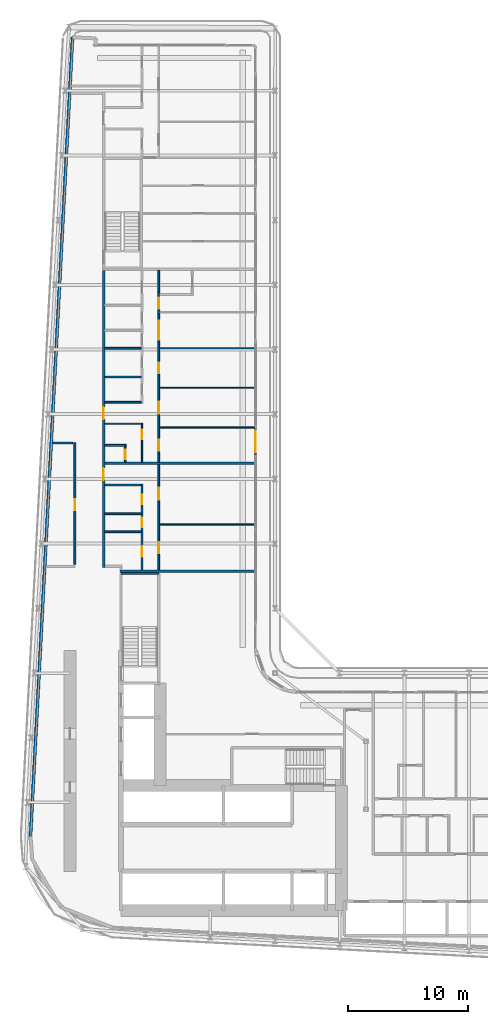
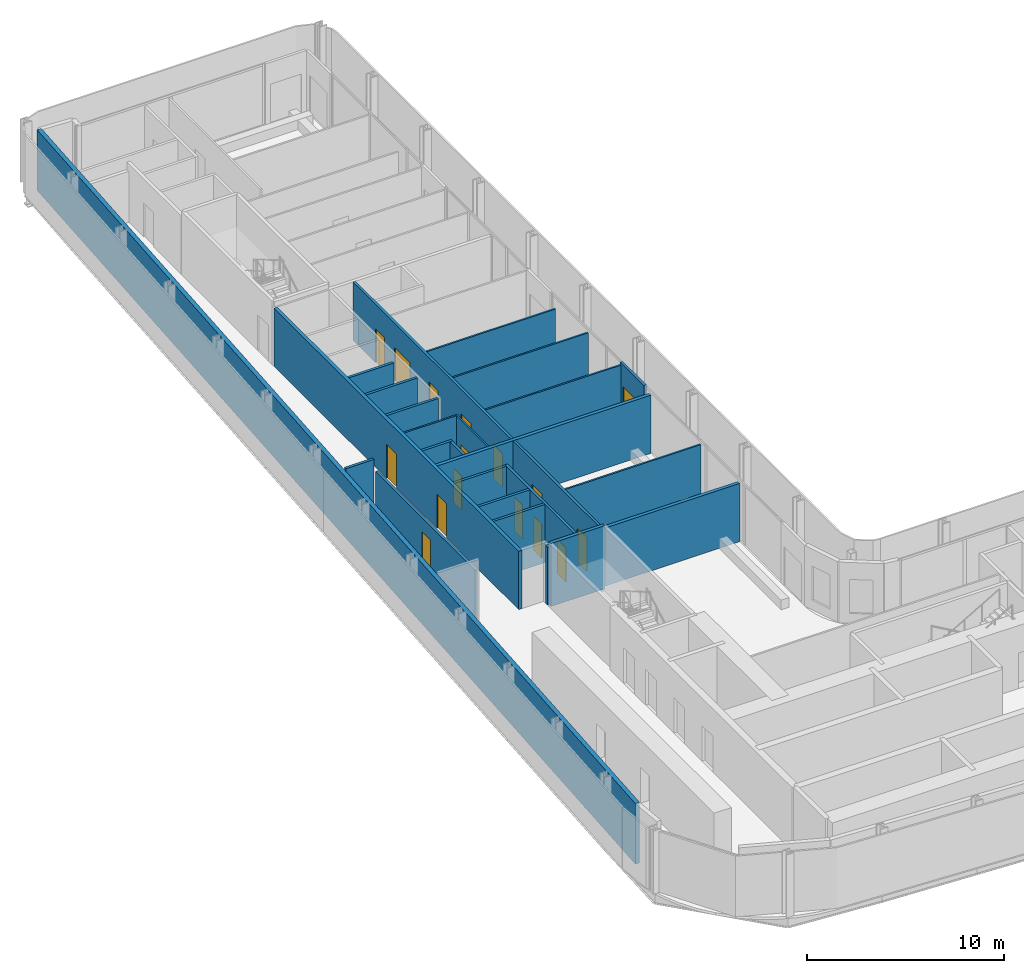
# One storey, part 17 of 28: 25 walls, 16 doors, 16 openings.
"""IFC4 building model written with IfcOpenShell, lengths in metres."""

from ifc_helpers import new_model, si_unit, direction, frame, frame_2d, origin, place, context, subcontext, project, spatial, rectangle, extrude, source, transform, mapped, material, layer, layer_set, type_object, element, fill, save


model = new_model("IFC4")

# Units and contexts
model_context = context("Model", 3, precision=1e-05, world=origin(), true_north=direction((0.0, 1.0)))
body_context = subcontext(model_context, "Body", "Model", "MODEL_VIEW")
ifc_project = project(units=[si_unit("LENGTHUNIT", "METRE"), si_unit("AREAUNIT", "SQUARE_METRE"), si_unit("VOLUMEUNIT", "CUBIC_METRE"), si_unit("PLANEANGLEUNIT", "RADIAN"), si_unit("MASSUNIT", "GRAM", prefix="KILO")], contexts=[model_context])

# Site, building, storey
site_placement = place(None, origin())
site = spatial("IfcSite", under=ifc_project, at=site_placement, CompositionType="ELEMENT")
building_placement = place(site_placement, origin())
building = spatial("IfcBuilding", under=site, at=building_placement, Name="Kheshtan School and Residences Tower", CompositionType="ELEMENT")
storey_placement = place(building_placement, frame((0.0, 0.0, 77.300048828125)))
storey = spatial("IfcBuildingStorey", under=building, at=storey_placement, Name="L18", CompositionType="ELEMENT", Elevation=77.300048828125)

# Wall, openings, doors
ifc_material_1 = material(Name="Gypsum board on steel studs with fire boards", Category="steel")
ifc_layer_1 = layer(ifc_material_1, 0.199951171875)
ifc_layer_set_1 = layer_set([ifc_layer_1], Name="Corridor wall 200")
wall_type_1 = type_object("IfcWallType", Name="Corridor wall 200", PredefinedType="PARTITIONING", material=ifc_layer_set_1)
wall_1_placement = place(storey_placement, frame((33.300048828125, 54.39990234375, 0.0), z_axis=(0.0, 0.0, 1.0), x_axis=(0.0, 1.0, 0.0)))
wall_1 = element("IfcWall", 1, at=wall_1_placement, inside=storey, type_object=wall_type_1, Name="Partition L18-004", PredefinedType="PARTITIONING", context=body_context, shape_type="SweptSolid", body=[
    extrude(rectangle(XDim=24.800048828125, YDim=0.199951171875, at=frame_2d((12.39990234375, 0.0))), origin(), (0.0, 0.0, 1.0), 3.599853515625),
])
opening_1_placement = place(wall_1_placement, frame((7.300048828125, 0.0, 0.0)))
opening_1 = element("IfcOpeningElement", 2, at=opening_1_placement, cuts=wall_1, Name="Opening D17-038", PredefinedType="OPENING", context=body_context, shape_type="SweptSolid", body=[
    extrude(rectangle(XDim=1.0, YDim=2.10009765625, at=frame_2d((0.5, 1.050048828125))), frame((0.0, 0.10986328125, 0.0), z_axis=(0.0, -1.0, 0.0), x_axis=(1.0, 0.0, 0.0)), (0.0, 0.0, 1.0), 0.219970703125),
])
opening_2_placement = place(wall_1_placement, frame((12.39990234375, 0.0, 0.0)))
opening_2 = element("IfcOpeningElement", 3, at=opening_2_placement, cuts=wall_1, Name="Opening D17-048", PredefinedType="OPENING", context=body_context, shape_type="SweptSolid", body=[
    extrude(rectangle(XDim=1.0, YDim=2.10009765625, at=frame_2d((0.5, 1.050048828125))), frame((0.0, 0.10986328125, 0.0), z_axis=(0.0, -1.0, 0.0), x_axis=(1.0, 0.0, 0.0)), (0.0, 0.0, 1.0), 0.219970703125),
])
ifc_material_2 = material(Name="Steel-framed fire-resisting door leaf", Category="steel")
door_type_1 = type_object("IfcDoorType", Name="Fire door FD30S 1000 x 2100", OperationType="SINGLE_SWING_LEFT", PredefinedType="DOOR", material=ifc_material_2)
shared_shape_1 = source(origin(), body_context, "Body", "SweptSolid", [
    extrude(rectangle(XDim=1.0, YDim=2.10009765625, at=frame_2d((0.5, 1.050048828125))), frame((0.0, 0.02490234375, 0.0), z_axis=(0.0, -1.0, 0.0), x_axis=(1.0, 0.0, 0.0)), (0.0, 0.0, 1.0), 0.050048828125),
])
door_1_placement = place(opening_1_placement, origin())
door_1 = element("IfcDoor", 4, at=door_1_placement, inside=storey, type_object=door_type_1, Name="Door D17-038", OperationType="SINGLE_SWING_RIGHT", OverallHeight=2.10009765625, OverallWidth=1.0, PredefinedType="DOOR", context=body_context, shape_type="MappedRepresentation", body=[
    mapped(shared_shape_1, transform((0.0, 0.0, 0.0), x_axis=(1.0, 0.0, 0.0), y_axis=(0.0, 1.0, 0.0), z_axis=(0.0, 0.0, 1.0), scale=1.0)),
])
fill(opening_1, door_1)
door_2_placement = place(opening_2_placement, origin())
door_2 = element("IfcDoor", 5, at=door_2_placement, inside=storey, type_object=door_type_1, Name="Door D17-048", OperationType="SINGLE_SWING_LEFT", OverallHeight=2.10009765625, OverallWidth=1.0, PredefinedType="DOOR", context=body_context, shape_type="MappedRepresentation", body=[
    mapped(shared_shape_1, transform((0.0, 0.0, 0.0), x_axis=(1.0, 0.0, 0.0), y_axis=(0.0, 1.0, 0.0), z_axis=(0.0, 0.0, 1.0), scale=1.0)),
])
fill(opening_2, door_2)

# Wall
ifc_material_3 = material(Name="Concrete C40/50 with ceramic cladding and mineral wool insulation", Category="concrete")
ifc_layer_2 = layer(ifc_material_3, 0.25)
ifc_layer_set_2 = layer_set([ifc_layer_2], Name="External wall 250 ceramic clad")
wall_type_2 = type_object("IfcWallType", Name="External wall 250 ceramic clad", PredefinedType="SOLIDWALL", material=ifc_layer_set_2)
wall_2_placement = place(storey_placement, frame((27.195068359375, 31.968994140625, 0.0), z_axis=(0.0, 0.0, 1.0), x_axis=(0.052554995867, 0.998618031286, 0.0)))
element("IfcWall", 6, at=wall_2_placement, inside=storey, type_object=wall_type_2, Name="External wall L18 4", PredefinedType="SOLIDWALL", context=body_context, shape_type="SweptSolid", body=[
    extrude(rectangle(XDim=66.787353515625, YDim=0.25, at=frame_2d((33.3935546875, 0.0))), origin(), (0.0, 0.0, 1.0), 3.75),
])

# Wall, opening, door
ifc_material_4 = material(Name="Aluminium frame wall with insulated infill", Category="aluminium")
ifc_layer_3 = layer(ifc_material_4, 0.14990234375)
ifc_layer_set_3 = layer_set([ifc_layer_3], Name="Glazing frame wall 150")
wall_type_3 = type_object("IfcWallType", Name="Glazing frame wall 150", PredefinedType="SOLIDWALL", material=ifc_layer_set_3)
wall_3_placement = place(storey_placement, frame((45.97509765625, 66.117919921875, 0.0), z_axis=(0.0, 0.0, 1.0), x_axis=(0.0, -1.0, 0.0)))
wall_3 = element("IfcWall", 7, at=wall_3_placement, inside=storey, type_object=wall_type_3, Name="Balcony door wall L18 8.4", PredefinedType="SOLIDWALL", context=body_context, shape_type="SweptSolid", body=[
    extrude(rectangle(XDim=2.39990234375, YDim=0.14990234375, at=frame_2d((1.199951171875, 0.0))), origin(), (0.0, 0.0, 1.0), 3.75),
])
opening_3_placement = place(wall_3_placement, frame((0.300048828125, 0.0, 0.0)))
opening_3 = element("IfcOpeningElement", 8, at=opening_3_placement, cuts=wall_3, Name="Opening BD", PredefinedType="OPENING", context=body_context, shape_type="SweptSolid", body=[
    extrude(rectangle(XDim=1.800048828125, YDim=2.39990234375, at=frame_2d((0.89990234375, 1.199951171875))), frame((0.0, 0.0849609375, 0.0), z_axis=(0.0, -1.0, 0.0), x_axis=(1.0, 0.0, 0.0)), (0.0, 0.0, 1.0), 0.169921875),
])
ifc_material_5 = material(Name="Clear low-e glass in thermally broken aluminium frame", Category="aluminium")
door_type_2 = type_object("IfcDoorType", Name="Balcony sliding door", OperationType="SLIDING_TO_LEFT", PredefinedType="DOOR", material=ifc_material_5)
shared_shape_2 = source(origin(), body_context, "Body", "SweptSolid", [
    extrude(rectangle(XDim=1.800048828125, YDim=2.39990234375, at=frame_2d((0.89990234375, 1.199951171875))), frame((0.0, 0.02490234375, 0.0), z_axis=(0.0, -1.0, 0.0), x_axis=(1.0, 0.0, 0.0)), (0.0, 0.0, 1.0), 0.050048828125),
])
door_3_placement = place(opening_3_placement, origin())
door_3 = element("IfcDoor", 9, at=door_3_placement, inside=storey, type_object=door_type_2, Name="Balcony door L18 8.4", OperationType="SLIDING_TO_LEFT", OverallHeight=2.39990234375, OverallWidth=1.800048828125, PredefinedType="DOOR", context=body_context, shape_type="MappedRepresentation", body=[
    mapped(shared_shape_2, transform((0.0, 0.0, 0.0), x_axis=(1.0, 0.0, 0.0), y_axis=(0.0, 1.0, 0.0), z_axis=(0.0, 0.0, 1.0), scale=1.0)),
])
fill(opening_3, door_3)

# Wall
ifc_material_6 = material(Name="Gypsum board on steel studs", Category="steel")
ifc_layer_4 = layer(ifc_material_6, 0.10009765625)
ifc_layer_set_4 = layer_set([ifc_layer_4], Name="Gypsum partition 100")
wall_type_4 = type_object("IfcWallType", Name="Gypsum partition 100", PredefinedType="PARTITIONING", material=ifc_layer_set_4)
wall_4_placement = place(storey_placement, frame((33.39990234375, 66.39990234375, 0.0), z_axis=(0.0, 0.0, 1.0), x_axis=(1.0, 0.0, 0.0)))
element("IfcWall", 10, at=wall_4_placement, inside=storey, type_object=wall_type_4, Name="Partition L18-012", PredefinedType="PARTITIONING", context=body_context, shape_type="SweptSolid", body=[
    extrude(rectangle(XDim=3.050048828125, YDim=0.10009765625, at=frame_2d((1.52490234375, 0.0))), origin(), (0.0, 0.0, 1.0), 3.599853515625),
])

# Wall, opening, door
wall_5_placement = place(storey_placement, frame((36.5, 63.199951171875, 0.0), z_axis=(0.0, 0.0, 1.0), x_axis=(0.0, 1.0, 0.0)))
wall_5 = element("IfcWall", 11, at=wall_5_placement, inside=storey, type_object=wall_type_4, Name="Partition L18-024", PredefinedType="PARTITIONING", context=body_context, shape_type="SweptSolid", body=[
    extrude(rectangle(XDim=3.25, YDim=0.10009765625, at=frame_2d((1.625, 0.0))), origin(), (0.0, 0.0, 1.0), 3.599853515625),
])
opening_4_placement = place(wall_5_placement, frame((1.89990234375, 0.0, 0.0)))
opening_4 = element("IfcOpeningElement", 12, at=opening_4_placement, cuts=wall_5, Name="Opening D17-051", PredefinedType="OPENING", context=body_context, shape_type="SweptSolid", body=[
    extrude(rectangle(XDim=0.800048828125, YDim=2.10009765625, at=frame_2d((0.39990234375, 1.050048828125))), frame((0.0, 0.06005859375, 0.0), z_axis=(0.0, -1.0, 0.0), x_axis=(1.0, 0.0, 0.0)), (0.0, 0.0, 1.0), 0.1201171875),
])
ifc_material_7 = material(Name="Veneered timber door leaf", Category="wood")
door_type_3 = type_object("IfcDoorType", Name="Door 800 x 2100", OperationType="SINGLE_SWING_LEFT", PredefinedType="DOOR", material=ifc_material_7)
shared_shape_3 = source(origin(), body_context, "Body", "SweptSolid", [
    extrude(rectangle(XDim=0.800048828125, YDim=2.10009765625, at=frame_2d((0.39990234375, 1.050048828125))), frame((0.0, 0.02490234375, 0.0), z_axis=(0.0, -1.0, 0.0), x_axis=(1.0, 0.0, 0.0)), (0.0, 0.0, 1.0), 0.050048828125),
])
door_4_placement = place(opening_4_placement, origin())
door_4 = element("IfcDoor", 13, at=door_4_placement, inside=storey, type_object=door_type_3, Name="Door D17-051", OperationType="SINGLE_SWING_RIGHT", OverallHeight=2.10009765625, OverallWidth=0.800048828125, PredefinedType="DOOR", context=body_context, shape_type="MappedRepresentation", body=[
    mapped(shared_shape_3, transform((0.0, 0.0, 0.0), x_axis=(1.0, 0.0, 0.0), y_axis=(0.0, 1.0, 0.0), z_axis=(0.0, 0.0, 1.0), scale=1.0)),
])
fill(opening_4, door_4)

# Walls
for number, where, z_axis, x_axis, name in (
    (14, (37.97509765625, 58.0, 0.0), (0.0, 0.0, 1.0), (1.0, 0.0, 0.0), "Partition L18-036"),
    (15, (37.97509765625, 66.10009765625, 0.0), (0.0, 0.0, 1.0), (1.0, 0.0, 0.0), "Partition L18-037"),
    (16, (37.97509765625, 69.39990234375, 0.0), (0.0, 0.0, 1.0), (1.0, 0.0, 0.0), "Partition L18-038"),
):
    element("IfcWall", number, at=place(storey_placement, frame(where, z_axis=z_axis, x_axis=x_axis)), inside=storey, type_object=wall_type_4, Name=name, PredefinedType="PARTITIONING", context=body_context, shape_type="SweptSolid", body=[
        extrude(rectangle(XDim=7.9248046875, YDim=0.10009765625, at=frame_2d((3.96240234375, 0.0))), origin(), (0.0, 0.0, 1.0), 3.599853515625),
    ])
wall_6_placement = place(storey_placement, frame((37.97509765625, 72.699951171875, 0.0), z_axis=(0.0, 0.0, 1.0), x_axis=(1.0, 0.0, 0.0)))
element("IfcWall", 17, at=wall_6_placement, inside=storey, type_object=wall_type_4, Name="Partition L18-039", PredefinedType="PARTITIONING", context=body_context, shape_type="SweptSolid", body=[
    extrude(rectangle(XDim=7.9248046875, YDim=0.10009765625, at=frame_2d((3.96240234375, 0.0))), origin(), (0.0, 0.0, 1.0), 3.072021484375),
])

# Wall, opening, door
ifc_material_8 = material(Name="Fire-board shaft wall system")
ifc_layer_5 = layer(ifc_material_8, 0.14990234375)
ifc_layer_set_5 = layer_set([ifc_layer_5], Name="Service room wall 150")
wall_type_5 = type_object("IfcWallType", Name="Service room wall 150", PredefinedType="PARTITIONING", material=ifc_layer_set_5)
wall_7_placement = place(storey_placement, frame((30.89990234375, 54.695068359375, 0.0), z_axis=(0.0, 0.0, 1.0), x_axis=(0.0, 1.0, 0.0)))
wall_7 = element("IfcWall", 18, at=wall_7_placement, inside=storey, type_object=wall_type_5, Name="Service room wall", PredefinedType="PARTITIONING", context=body_context, shape_type="SweptSolid", body=[
    extrude(rectangle(XDim=10.10498046875, YDim=0.14990234375, at=frame_2d((5.052490234375, 0.0))), origin(), (0.0, 0.0, 1.0), 3.072021484375),
])
opening_5_placement = place(wall_7_placement, frame((4.5048828125, 0.0, 0.0)))
opening_5 = element("IfcOpeningElement", 19, at=opening_5_placement, cuts=wall_7, Name="Opening SR90", PredefinedType="OPENING", context=body_context, shape_type="SweptSolid", body=[
    extrude(rectangle(XDim=0.89990234375, YDim=2.199951171875, at=frame_2d((0.449951171875, 1.10009765625))), frame((0.0, 0.0849609375, 0.0), z_axis=(0.0, -1.0, 0.0), x_axis=(1.0, 0.0, 0.0)), (0.0, 0.0, 1.0), 0.169921875),
])
ifc_material_9 = material(Name="Steel door leaf, galvanised", Category="steel")
door_type_4 = type_object("IfcDoorType", Name="Service room door 900 steel 90 min", OperationType="SINGLE_SWING_LEFT", PredefinedType="DOOR", material=ifc_material_9)
shared_shape_4 = source(origin(), body_context, "Body", "SweptSolid", [
    extrude(rectangle(XDim=0.89990234375, YDim=2.199951171875, at=frame_2d((0.449951171875, 1.10009765625))), frame((0.0, 0.02490234375, 0.0), z_axis=(0.0, -1.0, 0.0), x_axis=(1.0, 0.0, 0.0)), (0.0, 0.0, 1.0), 0.050048828125),
])
door_5_placement = place(opening_5_placement, origin())
door_5 = element("IfcDoor", 20, at=door_5_placement, inside=storey, type_object=door_type_4, Name="Service room door", OperationType="SINGLE_SWING_LEFT", OverallHeight=2.199951171875, OverallWidth=0.89990234375, PredefinedType="DOOR", context=body_context, shape_type="MappedRepresentation", body=[
    mapped(shared_shape_4, transform((0.0, 0.0, 0.0), x_axis=(1.0, 0.0, 0.0), y_axis=(0.0, 1.0, 0.0), z_axis=(0.0, 0.0, 1.0), scale=1.0)),
])
fill(opening_5, door_5)

# Walls
wall_8_placement = place(storey_placement, frame((29.050048828125, 64.800048828125, 0.0), z_axis=(0.0, 0.0, 1.0), x_axis=(1.0, 0.0, 0.0)))
element("IfcWall", 21, at=wall_8_placement, inside=storey, type_object=wall_type_5, Name="Service room wall", PredefinedType="PARTITIONING", context=body_context, shape_type="SweptSolid", body=[
    extrude(rectangle(XDim=1.655029296875, YDim=0.14990234375, at=frame_2d((0.82763671875, 0.0))), origin(), (0.0, 0.0, 1.0), 3.89990234375),
])
ifc_material_10 = material(Name="Concrete C40/50", Category="concrete")
ifc_layer_6 = layer(ifc_material_10, 0.199951171875)
ifc_layer_set_6 = layer_set([ifc_layer_6], Name="Stair enclosure wall 200 Concrete C40/50")
wall_type_6 = type_object("IfcWallType", Name="Stair enclosure wall 200 Concrete C40/50", PredefinedType="SHEAR", material=ifc_layer_set_6)
wall_9_placement = place(storey_placement, frame((34.75, 53.909912109375, 0.0), z_axis=(0.0, 0.0, 1.0), x_axis=(1.0, 0.0, 0.0)))
element("IfcWall", 22, at=wall_9_placement, inside=storey, type_object=wall_type_6, Name="Stair enclosure wall ST2", PredefinedType="SHEAR", context=body_context, shape_type="SweptSolid", body=[
    extrude(rectangle(XDim=3.14990234375, YDim=0.199951171875, at=frame_2d((1.574951171875, 0.0))), origin(), (0.0, 0.0, 1.0), 3.89990234375),
])
ifc_material_11 = material(Name="Twin gypsum board on steel studs with mineral wool", Category="steel")
ifc_layer_7 = layer(ifc_material_11, 0.199951171875)
ifc_layer_set_7 = layer_set([ifc_layer_7], Name="Unit demising wall 200")
wall_type_7 = type_object("IfcWallType", Name="Unit demising wall 200", PredefinedType="PARTITIONING", material=ifc_layer_set_7)
wall_10_placement = place(storey_placement, frame((33.39990234375, 63.10009765625, 0.0), z_axis=(0.0, 0.0, 1.0), x_axis=(1.0, 0.0, 0.0)))
element("IfcWall", 23, at=wall_10_placement, inside=storey, type_object=wall_type_7, Name="Partition L18-010", PredefinedType="PARTITIONING", context=body_context, shape_type="SweptSolid", body=[
    extrude(rectangle(XDim=12.5, YDim=0.199951171875, at=frame_2d((6.25, 0.0))), origin(), (0.0, 0.0, 1.0), 3.599853515625),
])
wall_11_placement = place(storey_placement, frame((34.64990234375, 54.10009765625, 0.0), z_axis=(0.0, 0.0, 1.0), x_axis=(1.0, 0.0, 0.0)))
element("IfcWall", 24, at=wall_11_placement, inside=storey, type_object=wall_type_7, Name="Partition L18-020", PredefinedType="PARTITIONING", context=body_context, shape_type="SweptSolid", body=[
    extrude(rectangle(XDim=11.25, YDim=0.199951171875, at=frame_2d((5.625, 0.0))), origin(), (0.0, 0.0, 1.0), 3.599853515625),
])
ifc_material_12 = material(Name="Moisture-resistant gypsum board on steel studs", Category="steel")
ifc_layer_8 = layer(ifc_material_12, 0.14990234375)
ifc_layer_set_8 = layer_set([ifc_layer_8], Name="Wet-room partition 150")
wall_type_8 = type_object("IfcWallType", Name="Wet-room partition 150", PredefinedType="PARTITIONING", material=ifc_layer_set_8)
for number, where, z_axis, x_axis, name in (
    (25, (33.39990234375, 57.39990234375, 0.0), (0.0, 0.0, 1.0), (1.0, 0.0, 0.0), "Partition L18-007"),
    (26, (33.39990234375, 58.89990234375, 0.0), (0.0, 0.0, 1.0), (1.0, 0.0, 0.0), "Partition L18-008"),
    (27, (33.39990234375, 61.300048828125, 0.0), (0.0, 0.0, 1.0), (1.0, 0.0, 0.0), "Partition L18-009"),
):
    element("IfcWall", number, at=place(storey_placement, frame(where, z_axis=z_axis, x_axis=x_axis)), inside=storey, type_object=wall_type_8, Name=name, PredefinedType="PARTITIONING", context=body_context, shape_type="SweptSolid", body=[
        extrude(rectangle(XDim=3.025146484375, YDim=0.14990234375, at=frame_2d((1.5126953125, 0.0))), origin(), (0.0, 0.0, 1.0), 3.599853515625),
    ])
wall_12_placement = place(storey_placement, frame((33.39990234375, 64.60009765625, 0.0), z_axis=(0.0, 0.0, 1.0), x_axis=(1.0, 0.0, 0.0)))
element("IfcWall", 28, at=wall_12_placement, inside=storey, type_object=wall_type_8, Name="Partition L18-011", PredefinedType="PARTITIONING", context=body_context, shape_type="SweptSolid", body=[
    extrude(rectangle(XDim=1.775146484375, YDim=0.14990234375, at=frame_2d((0.8876953125, 0.0))), origin(), (0.0, 0.0, 1.0), 3.599853515625),
])
for number, where, z_axis, x_axis, name in (
    (29, (33.39990234375, 68.199951171875, 0.0), (0.0, 0.0, 1.0), (1.0, 0.0, 0.0), "Partition L18-013"),
    (30, (33.39990234375, 70.300048828125, 0.0), (0.0, 0.0, 1.0), (1.0, 0.0, 0.0), "Partition L18-014"),
):
    element("IfcWall", number, at=place(storey_placement, frame(where, z_axis=z_axis, x_axis=x_axis)), inside=storey, type_object=wall_type_8, Name=name, PredefinedType="PARTITIONING", context=body_context, shape_type="SweptSolid", body=[
        extrude(rectangle(XDim=3.025146484375, YDim=0.14990234375, at=frame_2d((1.5126953125, 0.0))), origin(), (0.0, 0.0, 1.0), 3.599853515625),
    ])
wall_13_placement = place(storey_placement, frame((33.39990234375, 72.699951171875, 0.0), z_axis=(0.0, 0.0, 1.0), x_axis=(1.0, 0.0, 0.0)))
element("IfcWall", 31, at=wall_13_placement, inside=storey, type_object=wall_type_8, Name="Partition L18-015", PredefinedType="PARTITIONING", context=body_context, shape_type="SweptSolid", body=[
    extrude(rectangle(XDim=3.025146484375, YDim=0.14990234375, at=frame_2d((1.5126953125, 0.0))), origin(), (0.0, 0.0, 1.0), 3.072021484375),
])

# Wall, opening, door
wall_14_placement = place(storey_placement, frame((35.10009765625, 63.199951171875, 0.0), z_axis=(0.0, 0.0, 1.0), x_axis=(0.0, 1.0, 0.0)))
wall_14 = element("IfcWall", 32, at=wall_14_placement, inside=storey, type_object=wall_type_8, Name="Partition L18-022", PredefinedType="PARTITIONING", context=body_context, shape_type="SweptSolid", body=[
    extrude(rectangle(XDim=1.324951171875, YDim=0.14990234375, at=frame_2d((0.66259765625, 0.0))), origin(), (0.0, 0.0, 1.0), 3.599853515625),
])
opening_6_placement = place(wall_14_placement, frame((0.25, 0.0, 0.0)))
opening_6 = element("IfcOpeningElement", 33, at=opening_6_placement, cuts=wall_14, Name="Opening D17-052", PredefinedType="OPENING", context=body_context, shape_type="SweptSolid", body=[
    extrude(rectangle(XDim=0.800048828125, YDim=2.10009765625, at=frame_2d((0.39990234375, 1.050048828125))), frame((0.0, 0.0849609375, 0.0), z_axis=(0.0, -1.0, 0.0), x_axis=(1.0, 0.0, 0.0)), (0.0, 0.0, 1.0), 0.169921875),
])
door_6_placement = place(opening_6_placement, origin())
door_6 = element("IfcDoor", 34, at=door_6_placement, inside=storey, type_object=door_type_3, Name="Door D17-052", OperationType="SINGLE_SWING_RIGHT", OverallHeight=2.10009765625, OverallWidth=0.800048828125, PredefinedType="DOOR", context=body_context, shape_type="MappedRepresentation", body=[
    mapped(shared_shape_3, transform((0.0, 0.0, 0.0), x_axis=(1.0, 0.0, 0.0), y_axis=(0.0, 1.0, 0.0), z_axis=(0.0, 0.0, 1.0), scale=1.0)),
])
fill(opening_6, door_6)

# Wall, openings, doors
wall_15_placement = place(storey_placement, frame((36.5, 54.199951171875, 0.0), z_axis=(0.0, 0.0, 1.0), x_axis=(0.0, 1.0, 0.0)))
wall_15 = element("IfcWall", 35, at=wall_15_placement, inside=storey, type_object=wall_type_8, Name="Partition L18-023", PredefinedType="PARTITIONING", context=body_context, shape_type="SweptSolid", body=[
    extrude(rectangle(XDim=7.175048828125, YDim=0.14990234375, at=frame_2d((3.58740234375, 0.0))), origin(), (0.0, 0.0, 1.0), 3.599853515625),
])
opening_7_placement = place(wall_15_placement, frame((5.5, 0.0, 0.0)))
opening_7 = element("IfcOpeningElement", 36, at=opening_7_placement, cuts=wall_15, Name="Opening D17-036", PredefinedType="OPENING", context=body_context, shape_type="SweptSolid", body=[
    extrude(rectangle(XDim=0.800048828125, YDim=2.10009765625, at=frame_2d((0.39990234375, 1.050048828125))), frame((0.0, 0.0849609375, 0.0), z_axis=(0.0, -1.0, 0.0), x_axis=(1.0, 0.0, 0.0)), (0.0, 0.0, 1.0), 0.169921875),
])
opening_8_placement = place(wall_15_placement, frame((1.10009765625, 0.0, 0.0)))
opening_8 = element("IfcOpeningElement", 37, at=opening_8_placement, cuts=wall_15, Name="Opening D17-039", PredefinedType="OPENING", context=body_context, shape_type="SweptSolid", body=[
    extrude(rectangle(XDim=0.89990234375, YDim=2.10009765625, at=frame_2d((0.449951171875, 1.050048828125))), frame((0.0, 0.0849609375, 0.0), z_axis=(0.0, -1.0, 0.0), x_axis=(1.0, 0.0, 0.0)), (0.0, 0.0, 1.0), 0.169921875),
])
opening_9_placement = place(wall_15_placement, frame((3.550048828125, 0.0, 0.0)))
opening_9 = element("IfcOpeningElement", 38, at=opening_9_placement, cuts=wall_15, Name="Opening D17-041", PredefinedType="OPENING", context=body_context, shape_type="SweptSolid", body=[
    extrude(rectangle(XDim=0.800048828125, YDim=2.10009765625, at=frame_2d((0.39990234375, 1.050048828125))), frame((0.0, 0.0849609375, 0.0), z_axis=(0.0, -1.0, 0.0), x_axis=(1.0, 0.0, 0.0)), (0.0, 0.0, 1.0), 0.169921875),
])
door_7_placement = place(opening_7_placement, origin())
door_7 = element("IfcDoor", 39, at=door_7_placement, inside=storey, type_object=door_type_3, Name="Door D17-036", OperationType="SINGLE_SWING_LEFT", OverallHeight=2.10009765625, OverallWidth=0.800048828125, PredefinedType="DOOR", context=body_context, shape_type="MappedRepresentation", body=[
    mapped(shared_shape_3, transform((0.0, 0.0, 0.0), x_axis=(1.0, 0.0, 0.0), y_axis=(0.0, 1.0, 0.0), z_axis=(0.0, 0.0, 1.0), scale=1.0)),
])
fill(opening_7, door_7)
door_8_placement = place(opening_9_placement, origin())
door_8 = element("IfcDoor", 40, at=door_8_placement, inside=storey, type_object=door_type_3, Name="Door D17-041", OperationType="SINGLE_SWING_RIGHT", OverallHeight=2.10009765625, OverallWidth=0.800048828125, PredefinedType="DOOR", context=body_context, shape_type="MappedRepresentation", body=[
    mapped(shared_shape_3, transform((0.0, 0.0, 0.0), x_axis=(1.0, 0.0, 0.0), y_axis=(0.0, 1.0, 0.0), z_axis=(0.0, 0.0, 1.0), scale=1.0)),
])
fill(opening_9, door_8)
door_type_5 = type_object("IfcDoorType", Name="Door 900 x 2100", OperationType="SINGLE_SWING_LEFT", PredefinedType="DOOR", material=ifc_material_7)
shared_shape_5 = source(origin(), body_context, "Body", "SweptSolid", [
    extrude(rectangle(XDim=0.89990234375, YDim=2.10009765625, at=frame_2d((0.449951171875, 1.050048828125))), frame((0.0, 0.02490234375, 0.0), z_axis=(0.0, -1.0, 0.0), x_axis=(1.0, 0.0, 0.0)), (0.0, 0.0, 1.0), 0.050048828125),
])
door_9_placement = place(opening_8_placement, origin())
door_9 = element("IfcDoor", 41, at=door_9_placement, inside=storey, type_object=door_type_5, Name="Door D17-039", OperationType="SINGLE_SWING_LEFT", OverallHeight=2.10009765625, OverallWidth=0.89990234375, PredefinedType="DOOR", context=body_context, shape_type="MappedRepresentation", body=[
    mapped(shared_shape_5, transform((0.0, 0.0, 0.0), x_axis=(1.0, 0.0, 0.0), y_axis=(0.0, 1.0, 0.0), z_axis=(0.0, 0.0, 1.0), scale=1.0)),
])
fill(opening_8, door_9)

wall_16_placement = place(storey_placement, frame((37.89990234375, 54.199951171875, 0.0), z_axis=(0.0, 0.0, 1.0), x_axis=(0.0, 1.0, 0.0)))
wall_16 = element("IfcWall", 42, at=wall_16_placement, inside=storey, type_object=wall_type_8, Name="Partition L18-032", PredefinedType="PARTITIONING", context=body_context, shape_type="SweptSolid", body=[
    extrude(rectangle(XDim=8.800048828125, YDim=0.14990234375, at=frame_2d((4.39990234375, 0.0))), origin(), (0.0, 0.0, 1.0), 3.599853515625),
])
opening_10_placement = place(wall_16_placement, frame((1.39990234375, 0.0, 0.0)))
opening_10 = element("IfcOpeningElement", 43, at=opening_10_placement, cuts=wall_16, Name="Opening D17-037", PredefinedType="OPENING", context=body_context, shape_type="SweptSolid", body=[
    extrude(rectangle(XDim=0.89990234375, YDim=2.10009765625, at=frame_2d((0.449951171875, 1.050048828125))), frame((0.0, 0.0849609375, 0.0), z_axis=(0.0, -1.0, 0.0), x_axis=(1.0, 0.0, 0.0)), (0.0, 0.0, 1.0), 0.169921875),
])
opening_11_placement = place(wall_16_placement, frame((5.85009765625, 0.0, 0.0)))
opening_11 = element("IfcOpeningElement", 44, at=opening_11_placement, cuts=wall_16, Name="Opening D17-040", PredefinedType="OPENING", context=body_context, shape_type="SweptSolid", body=[
    extrude(rectangle(XDim=1.0, YDim=2.10009765625, at=frame_2d((0.5, 1.050048828125))), frame((0.0, 0.0849609375, 0.0), z_axis=(0.0, -1.0, 0.0), x_axis=(1.0, 0.0, 0.0)), (0.0, 0.0, 1.0), 0.169921875),
])
door_type_6 = type_object("IfcDoorType", Name="Door 1000 x 2100", OperationType="SINGLE_SWING_LEFT", PredefinedType="DOOR", material=ifc_material_7)
shared_shape_6 = source(origin(), body_context, "Body", "SweptSolid", [
    extrude(rectangle(XDim=1.0, YDim=2.10009765625, at=frame_2d((0.5, 1.050048828125))), frame((0.0, 0.02490234375, 0.0), z_axis=(0.0, -1.0, 0.0), x_axis=(1.0, 0.0, 0.0)), (0.0, 0.0, 1.0), 0.050048828125),
])
door_10_placement = place(opening_11_placement, origin())
door_10 = element("IfcDoor", 45, at=door_10_placement, inside=storey, type_object=door_type_6, Name="Door D17-040", OperationType="SINGLE_SWING_RIGHT", OverallHeight=2.10009765625, OverallWidth=1.0, PredefinedType="DOOR", context=body_context, shape_type="MappedRepresentation", body=[
    mapped(shared_shape_6, transform((0.0, 0.0, 0.0), x_axis=(1.0, 0.0, 0.0), y_axis=(0.0, 1.0, 0.0), z_axis=(0.0, 0.0, 1.0), scale=1.0)),
])
fill(opening_11, door_10)
door_11_placement = place(opening_10_placement, origin())
door_11 = element("IfcDoor", 46, at=door_11_placement, inside=storey, type_object=door_type_5, Name="Door D17-037", OperationType="SINGLE_SWING_LEFT", OverallHeight=2.10009765625, OverallWidth=0.89990234375, PredefinedType="DOOR", context=body_context, shape_type="MappedRepresentation", body=[
    mapped(shared_shape_5, transform((0.0, 0.0, 0.0), x_axis=(1.0, 0.0, 0.0), y_axis=(0.0, 1.0, 0.0), z_axis=(0.0, 0.0, 1.0), scale=1.0)),
])
fill(opening_10, door_11)

wall_17_placement = place(storey_placement, frame((37.89990234375, 63.199951171875, 0.0), z_axis=(0.0, 0.0, 1.0), x_axis=(0.0, 1.0, 0.0)))
wall_17 = element("IfcWall", 47, at=wall_17_placement, inside=storey, type_object=wall_type_8, Name="Partition L18-033", PredefinedType="PARTITIONING", context=body_context, shape_type="SweptSolid", body=[
    extrude(rectangle(XDim=16.0, YDim=0.14990234375, at=frame_2d((8.0, 0.0))), origin(), (0.0, 0.0, 1.0), 3.599853515625),
])
opening_12_placement = place(wall_17_placement, frame((0.949951171875, 0.0, 0.0)))
opening_12 = element("IfcOpeningElement", 48, at=opening_12_placement, cuts=wall_17, Name="Opening D17-044", PredefinedType="OPENING", context=body_context, shape_type="SweptSolid", body=[
    extrude(rectangle(XDim=0.89990234375, YDim=2.10009765625, at=frame_2d((0.449951171875, 1.050048828125))), frame((0.0, 0.0849609375, 0.0), z_axis=(0.0, -1.0, 0.0), x_axis=(1.0, 0.0, 0.0)), (0.0, 0.0, 1.0), 0.169921875),
])
opening_13_placement = place(wall_17_placement, frame((7.39990234375, 0.0, 0.0)))
opening_13 = element("IfcOpeningElement", 49, at=opening_13_placement, cuts=wall_17, Name="Opening D17-045", PredefinedType="OPENING", context=body_context, shape_type="SweptSolid", body=[
    extrude(rectangle(XDim=0.89990234375, YDim=2.10009765625, at=frame_2d((0.449951171875, 1.050048828125))), frame((0.0, 0.0849609375, 0.0), z_axis=(0.0, -1.0, 0.0), x_axis=(1.0, 0.0, 0.0)), (0.0, 0.0, 1.0), 0.169921875),
])
opening_14_placement = place(wall_17_placement, frame((4.050048828125, 0.0, 0.0)))
opening_14 = element("IfcOpeningElement", 50, at=opening_14_placement, cuts=wall_17, Name="Opening D17-050", PredefinedType="OPENING", context=body_context, shape_type="SweptSolid", body=[
    extrude(rectangle(XDim=1.0, YDim=2.10009765625, at=frame_2d((0.5, 1.050048828125))), frame((0.0, 0.0849609375, 0.0), z_axis=(0.0, -1.0, 0.0), x_axis=(1.0, 0.0, 0.0)), (0.0, 0.0, 1.0), 0.169921875),
])
opening_15_placement = place(wall_17_placement, frame((10.199951171875, 0.0, 0.0)))
opening_15 = element("IfcOpeningElement", 51, at=opening_15_placement, cuts=wall_17, Name="Opening D17-053", PredefinedType="OPENING", context=body_context, shape_type="SweptSolid", body=[
    extrude(rectangle(XDim=1.60009765625, YDim=2.10009765625, at=frame_2d((0.800048828125, 1.050048828125))), frame((0.0, 0.0849609375, 0.0), z_axis=(0.0, -1.0, 0.0), x_axis=(1.0, 0.0, 0.0)), (0.0, 0.0, 1.0), 0.169921875),
])
opening_16_placement = place(wall_17_placement, frame((12.800048828125, 0.0, 0.0)))
opening_16 = element("IfcOpeningElement", 52, at=opening_16_placement, cuts=wall_17, Name="Opening D17-054", PredefinedType="OPENING", context=body_context, shape_type="SweptSolid", body=[
    extrude(rectangle(XDim=0.89990234375, YDim=2.10009765625, at=frame_2d((0.449951171875, 1.050048828125))), frame((0.0, 0.0849609375, 0.0), z_axis=(0.0, -1.0, 0.0), x_axis=(1.0, 0.0, 0.0)), (0.0, 0.0, 1.0), 0.169921875),
])
door_12_placement = place(opening_14_placement, origin())
door_12 = element("IfcDoor", 53, at=door_12_placement, inside=storey, type_object=door_type_6, Name="Door D17-050", OperationType="SINGLE_SWING_LEFT", OverallHeight=2.10009765625, OverallWidth=1.0, PredefinedType="DOOR", context=body_context, shape_type="MappedRepresentation", body=[
    mapped(shared_shape_6, transform((0.0, 0.0, 0.0), x_axis=(1.0, 0.0, 0.0), y_axis=(0.0, 1.0, 0.0), z_axis=(0.0, 0.0, 1.0), scale=1.0)),
])
fill(opening_14, door_12)
door_13_placement = place(opening_12_placement, origin())
door_13 = element("IfcDoor", 54, at=door_13_placement, inside=storey, type_object=door_type_5, Name="Door D17-044", OperationType="SINGLE_SWING_LEFT", OverallHeight=2.10009765625, OverallWidth=0.89990234375, PredefinedType="DOOR", context=body_context, shape_type="MappedRepresentation", body=[
    mapped(shared_shape_5, transform((0.0, 0.0, 0.0), x_axis=(1.0, 0.0, 0.0), y_axis=(0.0, 1.0, 0.0), z_axis=(0.0, 0.0, 1.0), scale=1.0)),
])
fill(opening_12, door_13)
door_14_placement = place(opening_13_placement, origin())
door_14 = element("IfcDoor", 55, at=door_14_placement, inside=storey, type_object=door_type_5, Name="Door D17-045", OperationType="SINGLE_SWING_LEFT", OverallHeight=2.10009765625, OverallWidth=0.89990234375, PredefinedType="DOOR", context=body_context, shape_type="MappedRepresentation", body=[
    mapped(shared_shape_5, transform((0.0, 0.0, 0.0), x_axis=(1.0, 0.0, 0.0), y_axis=(0.0, 1.0, 0.0), z_axis=(0.0, 0.0, 1.0), scale=1.0)),
])
fill(opening_13, door_14)
door_15_placement = place(opening_16_placement, origin())
door_15 = element("IfcDoor", 56, at=door_15_placement, inside=storey, type_object=door_type_5, Name="Door D17-054", OperationType="SINGLE_SWING_LEFT", OverallHeight=2.10009765625, OverallWidth=0.89990234375, PredefinedType="DOOR", context=body_context, shape_type="MappedRepresentation", body=[
    mapped(shared_shape_5, transform((0.0, 0.0, 0.0), x_axis=(1.0, 0.0, 0.0), y_axis=(0.0, 1.0, 0.0), z_axis=(0.0, 0.0, 1.0), scale=1.0)),
])
fill(opening_16, door_15)
door_type_7 = type_object("IfcDoorType", Name="Double door 1600 x 2100", OperationType="DOUBLE_DOOR_SINGLE_SWING", PredefinedType="DOOR", material=ifc_material_7)
shared_shape_7 = source(origin(), body_context, "Body", "SweptSolid", [
    extrude(rectangle(XDim=1.60009765625, YDim=2.10009765625, at=frame_2d((0.800048828125, 1.050048828125))), frame((0.0, 0.02490234375, 0.0), z_axis=(0.0, -1.0, 0.0), x_axis=(1.0, 0.0, 0.0)), (0.0, 0.0, 1.0), 0.050048828125),
])
door_16_placement = place(opening_15_placement, origin())
door_16 = element("IfcDoor", 57, at=door_16_placement, inside=storey, type_object=door_type_7, Name="Door D17-053", OperationType="DOUBLE_DOOR_SINGLE_SWING", OverallHeight=2.10009765625, OverallWidth=1.60009765625, PredefinedType="DOOR", context=body_context, shape_type="MappedRepresentation", body=[
    mapped(shared_shape_7, transform((0.0, 0.0, 0.0), x_axis=(1.0, 0.0, 0.0), y_axis=(0.0, 1.0, 0.0), z_axis=(0.0, 0.0, 1.0), scale=1.0)),
])
fill(opening_15, door_16)

save(model, "model.ifc")
